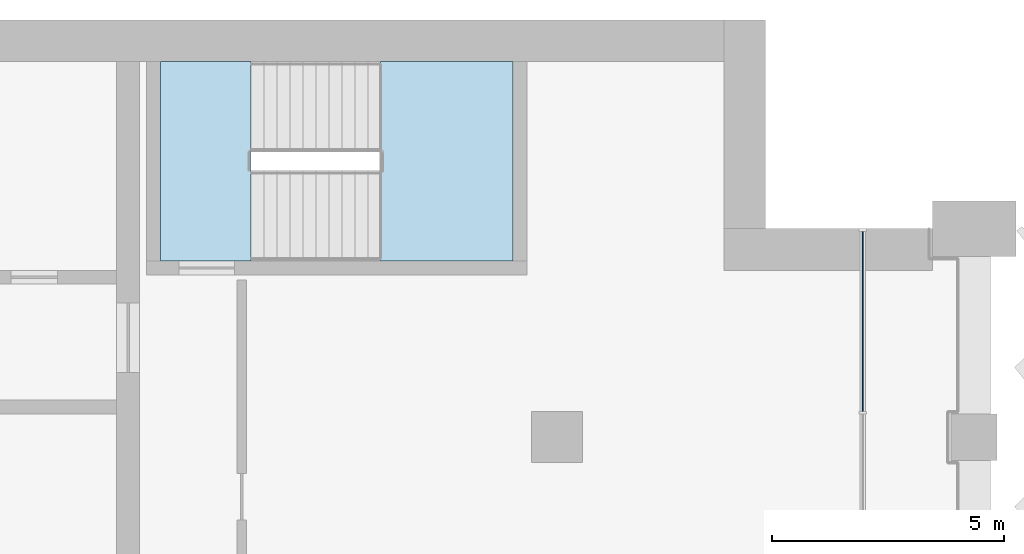
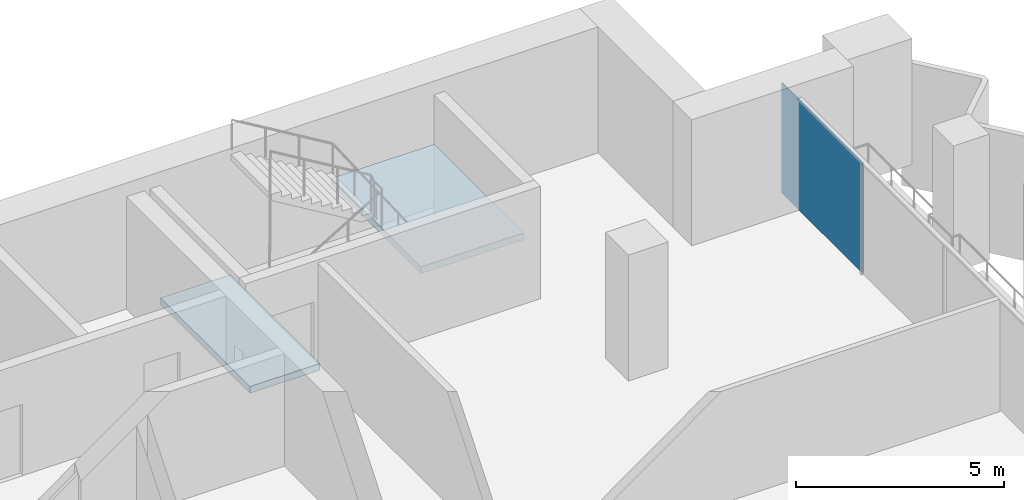
# One storey, part 8 of 19: 2 slabs, 1 plate, 2 elements without a shape of their own.
"""IFC4 building model written with IfcOpenShell, lengths in metres."""

from ifc_helpers import new_model, si_unit, direction, frame, origin, origin_2d, place, context, subcontext, project, spatial, polyline, rectangle, outline, extrude, material, layer, layer_set, type_object, element, aggregate, save


model = new_model("IFC4")

# Units and contexts
model_context = context("Model", 3, precision=1e-05, world=origin(), true_north=direction((0.0, 1.0)))
body_context = subcontext(model_context, "Body", "Model", "MODEL_VIEW")
ifc_project = project(units=[si_unit("LENGTHUNIT", "METRE"), si_unit("AREAUNIT", "SQUARE_METRE"), si_unit("VOLUMEUNIT", "CUBIC_METRE"), si_unit("PLANEANGLEUNIT", "RADIAN"), si_unit("MASSUNIT", "GRAM", prefix="KILO")], contexts=[model_context])

# Site, building, storey
site_placement = place(None, origin())
site = spatial("IfcSite", under=ifc_project, at=site_placement, CompositionType="ELEMENT")
building_placement = place(site_placement, origin())
building = spatial("IfcBuilding", under=site, at=building_placement, Name="Hunhe Ridgeline Campus", CompositionType="ELEMENT")
storey_placement = place(building_placement, frame((0.0, 0.0, 219.800048828125)))
storey = spatial("IfcBuildingStorey", under=building, at=storey_placement, Name="L56", CompositionType="ELEMENT", Elevation=219.800048828125)

# Curtain wall, plate
ifc_material_1 = material(Name="Aluminium 6063", Category="aluminium")
curtain_wall_type = type_object("IfcCurtainWallType", Name="Curtain wall CW-1", PredefinedType="NOTDEFINED", material=ifc_material_1)
curtain_wall_placement = place(storey_placement, origin())
curtain_wall = element("IfcCurtainWall", 1, at=curtain_wall_placement, inside=storey, type_object=curtain_wall_type, Name="Curtain wall 13", PredefinedType="NOTDEFINED")
ifc_material_2 = material(Name="Low-e laminated glass", Category="glass")
ifc_layer_1 = layer(ifc_material_2, 0.028076171875)
ifc_layer_set_1 = layer_set([ifc_layer_1], Name="Curtain wall glass panel 28 low-e laminated")
plate_type = type_object("IfcPlateType", Name="Curtain wall glass panel 28 low-e laminated", PredefinedType="CURTAIN_PANEL", material=ifc_layer_set_1)
plate_placement = place(storey_placement, frame((51.59912109375, 92.49755859375, 0.0), z_axis=(0.0, 0.0, 1.0), x_axis=(0.0, 1.0, 0.0)))
plate = element("IfcPlate", 2, at=plate_placement, type_object=plate_type, Name="CW-1 panel 4", PredefinedType="CURTAIN_PANEL", context=body_context, shape_type="SweptSolid", body=[
    extrude(rectangle(XDim=3.884765625, YDim=0.028076171875, at=origin_2d()), origin(), (0.0, 0.0, 1.0), 3.239990234375),
])
aggregate(curtain_wall, [plate])

# Stair, slab
ifc_material_3 = material(Name="Concrete C40", Category="concrete")
stair_type = type_object("IfcStairType", Name="Reinforced concrete dog-leg stair 1950 Concrete C40", PredefinedType="HALF_TURN_STAIR", material=ifc_material_3)
stair_placement = place(storey_placement, origin())
stair = element("IfcStair", 3, at=stair_placement, inside=storey, type_object=stair_type, Name="L56 E1", PredefinedType="HALF_TURN_STAIR")
ifc_layer_2 = layer(ifc_material_3, 0.199951171875)
ifc_layer_set_2 = layer_set([ifc_layer_2], Name="Reinforced concrete stair landing 200 Concrete C40")
slab_type = type_object("IfcSlabType", Name="Reinforced concrete stair landing 200 Concrete C40", PredefinedType="LANDING", material=ifc_layer_set_2)
slab_1_placement = place(storey_placement, frame((0.0, 0.0, 1.64990234375)))
slab_1 = element("IfcSlab", 4, at=slab_1_placement, type_object=slab_type, Name="ST5 landing 1", PredefinedType="LANDING", context=body_context, shape_type="SweptSolid", body=[
    extrude(outline(polyline([(41.199951171875, 93.800048828125), (44.050048828125, 93.800048828125), (44.050048828125, 98.10009765625), (41.199951171875, 98.10009765625), (41.199951171875, 93.800048828125)])), origin(), (0.0, 0.0, 1.0), 0.199951171875),
])
aggregate(stair, [slab_1])

# Slab
slab_2_placement = place(storey_placement, frame((0.0, 0.0, -0.199951171875)))
element("IfcSlab", 5, at=slab_2_placement, inside=storey, type_object=slab_type, Name="L56 stair E1 floor landing", PredefinedType="LANDING", context=body_context, shape_type="SweptSolid", body=[
    extrude(outline(polyline([(36.449951171875, 93.800048828125), (38.39990234375, 93.800048828125), (38.39990234375, 98.10009765625), (36.449951171875, 98.10009765625), (36.449951171875, 93.800048828125)])), origin(), (0.0, 0.0, 1.0), 0.199951171875),
])

save(model, "model.ifc")
